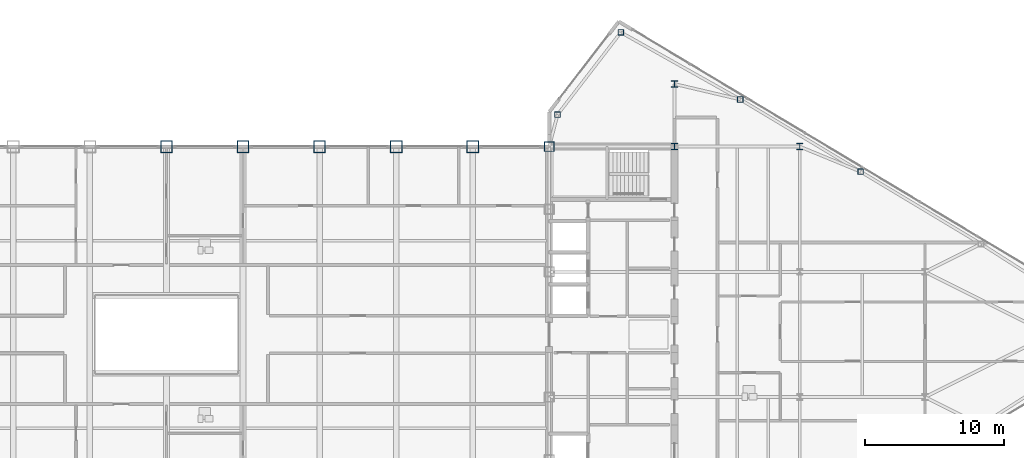
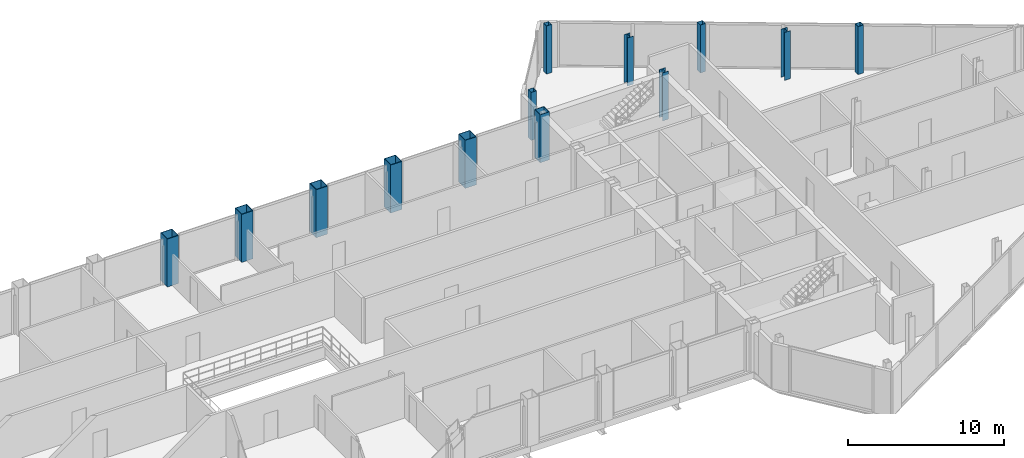
# One storey, part 6 of 29: 13 columns.
"""IFC4 building model written with IfcOpenShell, lengths in metres."""

import ifcopenshell
import ifcopenshell.guid

model = None  # the IFC model being written
_history = None  # IfcOwnerHistory: only IFC2X3 demands one
_inside = {}  # id of a spatial element -> (the spatial element, [elements in it])
_under = {}  # id of a project, library or spatial element -> (it, [spatial elements below it])
_declared = {}  # id of a project -> (the project, [libraries it declares])
_typed = {}  # id of a type object -> (the type object, [elements of that type])
_made_of = {}  # id of a material, layer set ... -> (it, [elements and type objects made of it])


def new_model(schema):
    """Start an empty IFC model of exactly this schema.

    Asked for "IFC4X3", IfcOpenShell would pick the latest addendum, in which some entities
    have other attributes; the version numbers below select the first issue.
    IFC2X3 requires an IfcOwnerHistory on every rooted entity: one is made here for all.
    """
    global model, _history
    if schema == "IFC4X3":
        model = ifcopenshell.file(schema_version=(4, 3, 0, 0))
    else:
        model = ifcopenshell.file(schema=schema)
    _inside.clear()
    _under.clear()
    _declared.clear()
    _typed.clear()
    _made_of.clear()
    _history = None
    if model.schema == "IFC2X3":
        org = make("IfcOrganization", Name="unknown")
        user = make(
            "IfcPersonAndOrganization",
            ThePerson=make("IfcPerson", FamilyName="unknown"),
            TheOrganization=org,
        )
        app = make(
            "IfcApplication",
            ApplicationDeveloper=org,
            Version="unknown",
            ApplicationFullName="unknown",
            ApplicationIdentifier="unknown",
        )
        _history = make(
            "IfcOwnerHistory",
            OwningUser=user,
            OwningApplication=app,
            ChangeAction="ADDED",
            CreationDate=0,
        )
    return model


def make(cls, **values):
    """One entity of the class cls with the attributes given. An attribute that is None is left unset."""
    return model.create_entity(
        cls, **{name: value for name, value in values.items() if value is not None}
    )


def rooted(cls, **values):
    """An entity with a GlobalId (a new one), such as an element, a storey or a relation."""
    return make(cls, GlobalId=ifcopenshell.guid.new(), OwnerHistory=_history, **values)


def si_unit(unit_type, name, prefix=None):
    """IfcSIUnit, for example si_unit("LENGTHUNIT", "METRE", prefix="MILLI")."""
    return make("IfcSIUnit", UnitType=unit_type, Prefix=prefix, Name=name)


def assignment(units):
    """IfcUnitAssignment: the units of a project."""
    return None if units is None else make("IfcUnitAssignment", Units=units)


def point(xyz):
    """IfcCartesianPoint."""
    return None if xyz is None else make("IfcCartesianPoint", Coordinates=xyz)


def direction(xyz):
    """IfcDirection."""
    return None if xyz is None else make("IfcDirection", DirectionRatios=xyz)


def frame(location, z_axis=None, x_axis=None):
    """IfcAxis2Placement3D, a coordinate frame: its origin and axes. An axis left out is left unset."""
    return make(
        "IfcAxis2Placement3D",
        Location=point(location),
        Axis=direction(z_axis),
        RefDirection=direction(x_axis),
    )


def frame_2d(location, x_axis=None):
    """IfcAxis2Placement2D, a coordinate frame in the plane: its origin and x axis."""
    return make(
        "IfcAxis2Placement2D", Location=point(location), RefDirection=direction(x_axis)
    )


def origin():
    """The frame at (0, 0, 0) with its axes left unset."""
    return frame((0.0, 0.0, 0.0))


def origin_2d():
    """The frame at (0, 0) in the plane with its x axis left unset."""
    return frame_2d((0.0, 0.0))


def place(relative_to, where):
    """IfcLocalPlacement: puts the frame where relative to a parent placement (None: the world)."""
    return make(
        "IfcLocalPlacement", PlacementRelTo=relative_to, RelativePlacement=where
    )


def context(
    kind, dimensions, precision=None, world=None, true_north=None, identifier=None
):
    """IfcGeometricRepresentationContext, for example the 3D "Model" context."""
    return make(
        "IfcGeometricRepresentationContext",
        ContextIdentifier=identifier,
        ContextType=kind,
        CoordinateSpaceDimension=dimensions,
        Precision=precision,
        WorldCoordinateSystem=world,
        TrueNorth=true_north,
    )


def subcontext(parent, identifier, kind, view, scale=None):
    """IfcGeometricRepresentationSubContext, for example "Body" below "Model"."""
    return make(
        "IfcGeometricRepresentationSubContext",
        ContextIdentifier=identifier,
        ContextType=kind,
        ParentContext=parent,
        TargetScale=scale,
        TargetView=view,
    )


def project(units=None, contexts=None):
    """IfcProject with its units and contexts."""
    return rooted(
        "IfcProject",
        Name="project",
        RepresentationContexts=contexts,
        UnitsInContext=assignment(units),
    )


def spatial(cls, under=None, at=None, **own):
    """A site, building, storey or space (cls), placed at a placement, below another one or the project."""
    s = rooted(cls, ObjectPlacement=at, **own)
    if under is not None:
        _under.setdefault(under.id(), (under, []))[1].append(s)
    return s


def profile(cls, at=None, kind="AREA", **sizes):
    """A parametric profile (cls). Its sizes go by their IFC names, for example OverallWidth=200.0."""
    return make(cls, ProfileType=kind, Position=at, **sizes)


def hollow_rectangle(**sizes):
    """IfcRectangleHollowProfileDef."""
    return profile("IfcRectangleHollowProfileDef", **sizes)


def i_section(**sizes):
    """IfcIShapeProfileDef."""
    return profile("IfcIShapeProfileDef", **sizes)


def extrude(swept, where, along, depth):
    """IfcExtrudedAreaSolid: the profile swept, set in the frame where, extruded along a direction by depth."""
    return make(
        "IfcExtrudedAreaSolid",
        SweptArea=swept,
        Position=where,
        ExtrudedDirection=direction(along),
        Depth=depth,
    )


def shape(context_of_items, identifier, shape_type, items):
    """IfcShapeRepresentation: the items that make up one representation, for example the "Body"."""
    return make(
        "IfcShapeRepresentation",
        ContextOfItems=context_of_items,
        RepresentationIdentifier=identifier,
        RepresentationType=shape_type,
        Items=items,
    )


def source(mapping_origin, context_of_items, identifier, shape_type, items):
    """IfcRepresentationMap: a shape defined once, which mapped items show again and again."""
    return make(
        "IfcRepresentationMap",
        MappingOrigin=mapping_origin,
        MappedRepresentation=shape(context_of_items, identifier, shape_type, items),
    )


def transform(
    local_origin,
    x_axis=None,
    y_axis=None,
    z_axis=None,
    scale=None,
    scale2=None,
    scale3=None,
    uniform=True,
):
    """IfcCartesianTransformationOperator3D, or its non-uniform kind. x_axis, y_axis, z_axis: its Axis1, 2, 3."""
    if uniform:
        return make(
            "IfcCartesianTransformationOperator3D",
            Axis1=direction(x_axis),
            Axis2=direction(y_axis),
            LocalOrigin=point(local_origin),
            Scale=scale,
            Axis3=direction(z_axis),
        )
    return make(
        "IfcCartesianTransformationOperator3DnonUniform",
        Axis1=direction(x_axis),
        Axis2=direction(y_axis),
        LocalOrigin=point(local_origin),
        Scale=scale,
        Axis3=direction(z_axis),
        Scale2=scale2,
        Scale3=scale3,
    )


def mapped(mapping_source, mapping_target):
    """IfcMappedItem: shows the shape of a source again, moved by a transform."""
    return make(
        "IfcMappedItem", MappingSource=mapping_source, MappingTarget=mapping_target
    )


def material(Name=None, Category=None):
    """IfcMaterial."""
    return make("IfcMaterial", Name=Name, Category=Category)


def material_profile(
    of_material, cross_section, Name=None, Category=None, Priority=None
):
    """IfcMaterialProfile: a cross section and its material."""
    return make(
        "IfcMaterialProfile",
        Name=Name,
        Material=of_material,
        Profile=cross_section,
        Priority=Priority,
        Category=Category,
    )


def profile_set(profiles, Name=None, composite=None):
    """IfcMaterialProfileSet."""
    return make(
        "IfcMaterialProfileSet",
        Name=Name,
        MaterialProfiles=profiles,
        CompositeProfile=composite,
    )


def made_of(thing, what):
    """Note that an element or type object is made of a material, layer set ...; save() writes the relation."""
    if what is not None:
        _made_of.setdefault(what.id(), (what, []))[1].append(thing)
    return thing


def type_object(cls, material=None, **own):
    """A type object (cls), such as IfcWallType, which elements share."""
    return made_of(rooted(cls, **own), material)


def type_shapes(of_type, sources):
    """Give a type object the sources (RepresentationMaps) that its elements show as mapped items."""
    of_type.RepresentationMaps = sources


def element(
    cls,
    number,
    at=None,
    inside=None,
    cuts=None,
    type_object=None,
    material=None,
    context=None,
    identifier="Body",
    shape_type=None,
    held_by="IfcProductDefinitionShape",
    body=None,
    shapes=None,
    **own,
):
    """One element of the class cls, such as IfcWall. Its Tag is "e" and its number.

    at: its placement. inside: the storey or other place that contains it. cuts: it is an
    opening in that element (IfcRelVoidsElement). A single representation is given by context,
    identifier, shape_type and body (its items); several are given by shapes. held_by: the class
    of the entity that holds the representations. save() writes the other relations.
    """
    e = rooted(cls, Tag="e%d" % number, ObjectPlacement=at, **own)
    if body is not None:
        shapes = [shape(context, identifier, shape_type, body)]
    if shapes is not None:
        e.Representation = make(held_by, Representations=shapes)
    if inside is not None:
        _inside.setdefault(inside.id(), (inside, []))[1].append(e)
    if cuts is not None:
        rooted(
            "IfcRelVoidsElement", RelatingBuildingElement=cuts, RelatedOpeningElement=e
        )
    if type_object is not None:
        _typed.setdefault(type_object.id(), (type_object, []))[1].append(e)
    return made_of(e, material)


def aggregate(whole, parts):
    """IfcRelAggregates: a whole, such as a stair, and the parts it consists of."""
    return rooted("IfcRelAggregates", RelatingObject=whole, RelatedObjects=parts)


def save(model, path):
    """Write the relations noted so far, then the file.

    IfcRelAggregates (storeys below a building ...), IfcRelContainedInSpatialStructure (elements
    in a storey), IfcRelDefinesByType, IfcRelAssociatesMaterial and IfcRelDeclares: one each for
    every whole, place, type object, material and project.
    """
    for whole, parts in _under.values():
        aggregate(whole, parts)
    for where, things in _inside.values():
        rooted(
            "IfcRelContainedInSpatialStructure",
            RelatedElements=things,
            RelatingStructure=where,
        )
    for kind, things in _typed.values():
        rooted("IfcRelDefinesByType", RelatedObjects=things, RelatingType=kind)
    for what, things in _made_of.values():
        rooted("IfcRelAssociatesMaterial", RelatedObjects=things, RelatingMaterial=what)
    for by, libraries in _declared.values():
        rooted("IfcRelDeclares", RelatingContext=by, RelatedDefinitions=libraries)
    model.write(path)


model = new_model("IFC4")

# Units and contexts
model_context = context("Model", 3, precision=1e-05, world=origin(), true_north=direction((0.0, 1.0)))
body_context = subcontext(model_context, "Body", "Model", "MODEL_VIEW")
ifc_project = project(units=[si_unit("LENGTHUNIT", "METRE"), si_unit("AREAUNIT", "SQUARE_METRE"), si_unit("VOLUMEUNIT", "CUBIC_METRE"), si_unit("PLANEANGLEUNIT", "RADIAN"), si_unit("MASSUNIT", "GRAM", prefix="KILO")], contexts=[model_context])

# Site, building, storey
site_placement = place(None, origin())
site = spatial("IfcSite", under=ifc_project, at=site_placement, CompositionType="ELEMENT")
building_placement = place(site_placement, origin())
building = spatial("IfcBuilding", under=site, at=building_placement, Name="Seokmaru Belvedere", CompositionType="ELEMENT")
storey_placement = place(building_placement, frame((0.0, 0.0, 243.14990234375)))
storey = spatial("IfcBuildingStorey", under=building, at=storey_placement, Name="L64", CompositionType="ELEMENT", Elevation=243.14990234375)

# Columns
ifc_material_1 = material(Name="Steel SM355 (355 MPa)", Category="steel")
ifc_material_profile_1 = material_profile(ifc_material_1, hollow_rectangle(XDim=0.699951171875, YDim=0.699951171875, WallThickness=0.030029296875, at=origin_2d()), Name="BOX-700x700x30")
ifc_profile_set_1 = profile_set([ifc_material_profile_1], Name="Steel SM355 (355 MPa)")
column_type_1 = type_object("IfcColumnType", Name="Upper Spine Column BOX-700", PredefinedType="COLUMN", material=ifc_profile_set_1)
shared_shape_1 = source(origin(), body_context, "Body", "SweptSolid", [
    extrude(hollow_rectangle(XDim=0.699951171875, YDim=0.699951171875, WallThickness=0.030029296875, at=origin_2d()), origin(), (0.0, 0.0, 1.0), 3.75),
])
type_shapes(column_type_1, [shared_shape_1])
column_placement = place(storey_placement, frame((27.5, 13.5, 0.0), z_axis=(0.0, 0.0, 1.0), x_axis=(1.0, 0.0, 0.0)))
element("IfcColumn", 1, at=column_placement, inside=storey, type_object=column_type_1, Name="L64 Column ES6", PredefinedType="COLUMN", context=body_context, shape_type="MappedRepresentation", body=[
    mapped(shared_shape_1, transform((0.0, 0.0, 0.0), scale=1.0)),
])
ifc_material_profile_2 = material_profile(ifc_material_1, i_section(OverallWidth=0.449951171875, OverallDepth=0.449951171875, WebThickness=0.01611328125, FlangeThickness=0.02490234375, at=origin_2d()), Name="H-450x450x16x25")
ifc_profile_set_2 = profile_set([ifc_material_profile_2], Name="Steel SM355 (355 MPa)")
column_type_2 = type_object("IfcColumnType", Name="Sky-Gate Column H-450", PredefinedType="COLUMN", material=ifc_profile_set_2)
shared_shape_2 = source(origin(), body_context, "Body", "SweptSolid", [
    extrude(i_section(OverallWidth=0.449951171875, OverallDepth=0.449951171875, WebThickness=0.01611328125, FlangeThickness=0.02490234375, at=origin_2d()), origin(), (0.0, 0.0, 1.0), 3.75),
])
type_shapes(column_type_2, [shared_shape_2])
for number, where, z_axis, x_axis, name in (
    (2, (36.5, 13.5, 0.0), (0.0, 0.0, 1.0), (1.0, 0.0, 0.0), "L64 Column EC3"),
    (3, (36.5, 18.0, 0.0), (0.0, 0.0, 1.0), (1.0, 0.0, 0.0), "L64 Column EC4"),
    (4, (45.5, 13.5, 0.0), (0.0, 0.0, 1.0), (1.0, 0.0, 0.0), "L64 Column EG5_4"),
):
    element("IfcColumn", number, at=place(storey_placement, frame(where, z_axis=z_axis, x_axis=x_axis)), inside=storey, type_object=column_type_2, Name=name, PredefinedType="COLUMN", context=body_context, shape_type="MappedRepresentation", body=[
        mapped(shared_shape_2, transform((0.0, 0.0, 0.0), scale=1.0)),
    ])
ifc_material_profile_3 = material_profile(ifc_material_1, hollow_rectangle(XDim=0.39990234375, YDim=0.39990234375, WallThickness=0.01611328125, at=origin_2d()), Name="HSS-400x400x16")
ifc_profile_set_3 = profile_set([ifc_material_profile_3], Name="Steel SM355 (355 MPa)")
column_type_3 = type_object("IfcColumnType", Name="Perimeter Facet Column HSS-400", PredefinedType="COLUMN", material=ifc_profile_set_3)
shared_shape_3 = source(origin(), body_context, "Body", "SweptSolid", [
    extrude(hollow_rectangle(XDim=0.39990234375, YDim=0.39990234375, WallThickness=0.01611328125, at=origin_2d()), origin(), (0.0, 0.0, 1.0), 3.75),
])
type_shapes(column_type_3, [shared_shape_3])
for number, where, z_axis, x_axis, name in (
    (5, (32.649658203125, 21.71044921875, 0.0), (0.0, 0.0, 1.0), (1.0, 0.0, 0.0), "L64 Column EF4"),
    (6, (28.10009765625, 15.7958984375, 0.0), (0.0, 0.0, 1.0), (1.0, 0.0, 0.0), "L64 Column EF5"),
    (7, (41.229736328125, 16.888916015625, 0.0), (0.0, 0.0, 1.0), (1.0, 0.0, 0.0), "L64 Column EFLK_N1"),
    (8, (49.8798828125, 11.698974609375, 0.0), (0.0, 0.0, 1.0), (1.0, 0.0, 0.0), "L64 Column EFLK_N2"),
):
    element("IfcColumn", number, at=place(storey_placement, frame(where, z_axis=z_axis, x_axis=x_axis)), inside=storey, type_object=column_type_3, Name=name, PredefinedType="COLUMN", context=body_context, shape_type="MappedRepresentation", body=[
        mapped(shared_shape_3, transform((0.0, 0.0, 0.0), scale=1.0)),
    ])
ifc_material_2 = material(Name="Steel HSA650 (650 MPa)", Category="steel")
ifc_material_profile_4 = material_profile(ifc_material_2, hollow_rectangle(XDim=0.85009765625, YDim=0.85009765625, WallThickness=0.035888671875, at=origin_2d()), Name="BOX-850x850x36")
ifc_profile_set_4 = profile_set([ifc_material_profile_4], Name="Steel HSA650 (650 MPa)")
column_type_4 = type_object("IfcColumnType", Name="Portal Spine Column BOX-850", PredefinedType="COLUMN", material=ifc_profile_set_4)
shared_shape_4 = source(origin(), body_context, "Body", "SweptSolid", [
    extrude(hollow_rectangle(XDim=0.85009765625, YDim=0.85009765625, WallThickness=0.035888671875, at=origin_2d()), origin(), (0.0, 0.0, 1.0), 3.75),
])
type_shapes(column_type_4, [shared_shape_4])
for number, where, z_axis, x_axis, name in (
    (9, (0.0, 13.5, 0.0), (0.0, 0.0, 1.0), (1.0, 0.0, 0.0), "L64 Column BRN_5"),
    (10, (5.5, 13.5, 0.0), (0.0, 0.0, 1.0), (1.0, 0.0, 0.0), "L64 Column BRN_6"),
    (11, (11.0, 13.5, 0.0), (0.0, 0.0, 1.0), (1.0, 0.0, 0.0), "L64 Column BRN_7"),
    (12, (16.5, 13.5, 0.0), (0.0, 0.0, 1.0), (1.0, 0.0, 0.0), "L64 Column BRN_8"),
    (13, (22.0, 13.5, 0.0), (0.0, 0.0, 1.0), (1.0, 0.0, 0.0), "L64 Column BRN_9"),
):
    element("IfcColumn", number, at=place(storey_placement, frame(where, z_axis=z_axis, x_axis=x_axis)), inside=storey, type_object=column_type_4, Name=name, PredefinedType="COLUMN", context=body_context, shape_type="MappedRepresentation", body=[
        mapped(shared_shape_4, transform((0.0, 0.0, 0.0), scale=1.0)),
    ])

save(model, "model.ifc")
